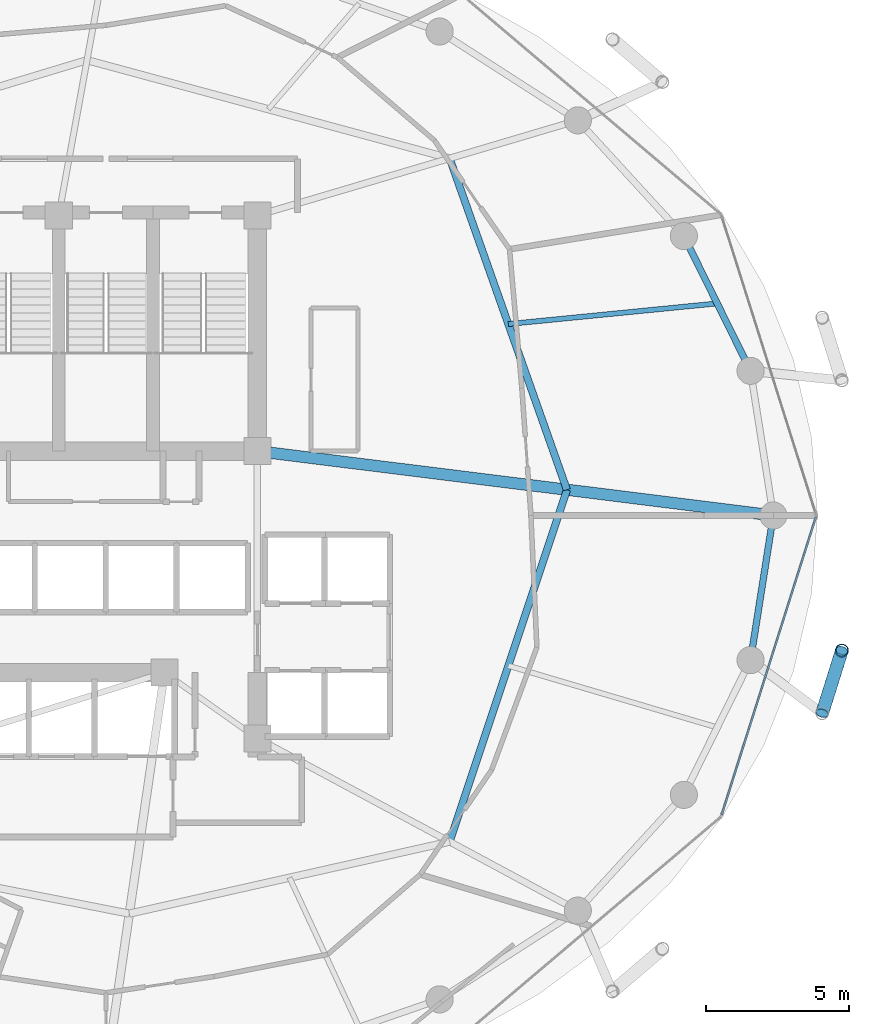
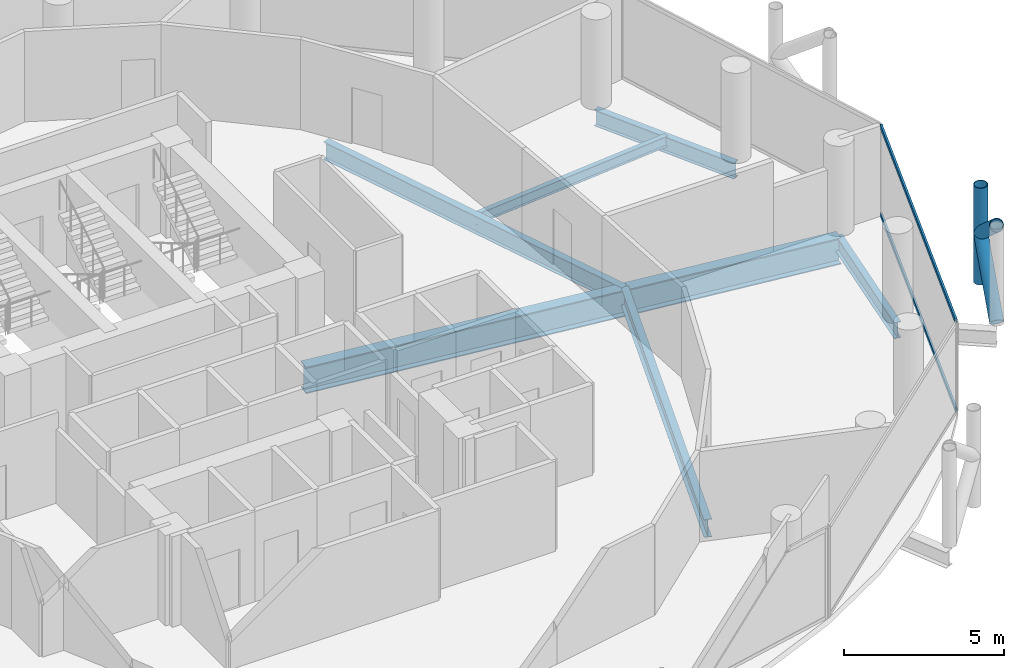
# One storey, part 11 of 26: 6 beams, 5 members, 1 element without a shape of its own.
"""IFC4 building model written with IfcOpenShell, lengths in metres."""

from ifc_helpers import new_model, si_unit, direction, frame, origin, origin_2d, place, context, subcontext, project, spatial, hollow_rectangle, hollow_circle, i_section, extrude, material, layer, layer_set, material_profile, profile_set, type_object, element, aggregate, save


model = new_model("IFC4")

# Units and contexts
model_context = context("Model", 3, precision=1e-05, world=origin(), true_north=direction((0.0, 1.0)))
body_context = subcontext(model_context, "Body", "Model", "MODEL_VIEW")
ifc_project = project(units=[si_unit("LENGTHUNIT", "METRE"), si_unit("AREAUNIT", "SQUARE_METRE"), si_unit("VOLUMEUNIT", "CUBIC_METRE"), si_unit("PLANEANGLEUNIT", "RADIAN"), si_unit("MASSUNIT", "GRAM", prefix="KILO")], contexts=[model_context])

# Site, building, storey
site_placement = place(None, origin())
site = spatial("IfcSite", under=ifc_project, at=site_placement, CompositionType="ELEMENT")
building_placement = place(site_placement, origin())
building = spatial("IfcBuilding", under=site, at=building_placement, Name="Nuhasar Tower", CompositionType="ELEMENT")
storey_placement = place(building_placement, frame((0.0, 0.0, 184.85009765625)))
storey = spatial("IfcBuildingStorey", under=building, at=storey_placement, Name="L45", CompositionType="ELEMENT", Elevation=184.85009765625)

# Beams
ifc_material_1 = material(Name="Steel S355", Category="steel")
ifc_material_profile_1 = material_profile(ifc_material_1, i_section(OverallWidth=0.25390625, OverallDepth=0.68408203125, WebThickness=0.012451171875, FlangeThickness=0.018798828125, at=origin_2d()), Name="W27X94")
ifc_profile_set_1 = profile_set([ifc_material_profile_1], Name="Steel S355")
beam_type_1 = type_object("IfcBeamType", Name="BM-INRING-W27X94", PredefinedType="BEAM", material=ifc_profile_set_1)
beam_1_placement = place(storey_placement, frame((51.027099609375, 15.385986328125, -0.592041015625), z_axis=(0.31609797573, 0.948726551615, 0.0), x_axis=(-0.948726551615, 0.31609797573, 0.0)))
element("IfcBeam", 1, at=beam_1_placement, inside=storey, type_object=beam_type_1, Name="L45 Inner Header Beam 03", PredefinedType="BEAM", context=body_context, shape_type="SweptSolid", body=[
    extrude(i_section(OverallWidth=0.25390625, OverallDepth=0.68408203125, WebThickness=0.012451171875, FlangeThickness=0.018798828125, at=origin_2d()), origin(), (0.0, 0.0, 1.0), 12.9794921875),
])
beam_2_placement = place(storey_placement, frame((55.1298828125, 27.699951171875, -0.592041015625), z_axis=(-0.333599821096, 0.942714781556, 0.0), x_axis=(-0.942714781556, -0.333599821096, 0.0)))
element("IfcBeam", 2, at=beam_2_placement, inside=storey, type_object=beam_type_1, Name="L45 Inner Header Beam 04", PredefinedType="BEAM", context=body_context, shape_type="SweptSolid", body=[
    extrude(i_section(OverallWidth=0.25390625, OverallDepth=0.68408203125, WebThickness=0.012451171875, FlangeThickness=0.018798828125, at=origin_2d()), origin(), (0.0, 0.0, 1.0), 12.298583984375),
])
ifc_material_profile_2 = material_profile(ifc_material_1, i_section(OverallWidth=0.177978515625, OverallDepth=0.406005859375, WebThickness=0.0078125, FlangeThickness=0.0126953125, at=origin_2d()), Name="W16X40")
ifc_profile_set_2 = profile_set([ifc_material_profile_2], Name="Steel S355")
beam_type_2 = type_object("IfcBeamType", Name="BM-JST-W16X40", PredefinedType="JOIST", material=ifc_profile_set_2)
beam_3_placement = place(storey_placement, frame((53.0791015625, 33.4970703125, -0.453125), z_axis=(0.995170244515, 0.098164068947, 0.0), x_axis=(-0.098164068947, 0.995170244515, 0.0)))
element("IfcBeam", 3, at=beam_3_placement, inside=storey, type_object=beam_type_2, Name="L45 Secondary Floor Joist 04", PredefinedType="JOIST", context=body_context, shape_type="SweptSolid", body=[
    extrude(i_section(OverallWidth=0.177978515625, OverallDepth=0.406005859375, WebThickness=0.0078125, FlangeThickness=0.0126953125, at=origin_2d()), origin(), (0.0, 0.0, 1.0), 7.34423828125),
])
ifc_material_profile_3 = material_profile(ifc_material_1, i_section(OverallWidth=0.22998046875, OverallDepth=0.616943359375, WebThickness=0.01318359375, FlangeThickness=0.022216796875, at=origin_2d()), Name="W24X94")
ifc_profile_set_3 = profile_set([ifc_material_profile_3], Name="Steel S355")
beam_type_3 = type_object("IfcBeamType", Name="BM-RING-W24X94", PredefinedType="SPANDREL", material=ifc_profile_set_3)
beam_4_placement = place(storey_placement, frame((61.553955078125, 31.860107421875, -0.55908203125), z_axis=(-0.443347771709, 0.896349682501, 0.0), x_axis=(-0.896349682501, -0.443347771709, 0.0)))
element("IfcBeam", 4, at=beam_4_placement, inside=storey, type_object=beam_type_3, Name="L45 Perimeter Ring Spandrel 02", PredefinedType="SPANDREL", context=body_context, shape_type="SweptSolid", body=[
    extrude(i_section(OverallWidth=0.22998046875, OverallDepth=0.616943359375, WebThickness=0.01318359375, FlangeThickness=0.022216796875, at=origin_2d()), origin(), (0.0, 0.0, 1.0), 5.260009765625),
])
beam_5_placement = place(storey_placement, frame((61.553955078125, 21.739990234375, -0.55908203125), z_axis=(0.155426543608, 0.987847452566, 0.0), x_axis=(-0.987847452566, 0.155426543608, 0.0)))
element("IfcBeam", 5, at=beam_5_placement, inside=storey, type_object=beam_type_3, Name="L45 Perimeter Ring Spandrel 24", PredefinedType="SPANDREL", context=body_context, shape_type="SweptSolid", body=[
    extrude(i_section(OverallWidth=0.22998046875, OverallDepth=0.616943359375, WebThickness=0.01318359375, FlangeThickness=0.022216796875, at=origin_2d()), origin(), (0.0, 0.0, 1.0), 5.122314453125),
])
ifc_material_2 = material(Name="Steel S460", Category="steel")
ifc_material_profile_4 = material_profile(ifc_material_2, i_section(OverallWidth=0.40087890625, OverallDepth=1.010009765625, WebThickness=0.023681640625, FlangeThickness=0.0419921875, at=origin_2d()), Name="W40X297")
ifc_profile_set_4 = profile_set([ifc_material_profile_4], Name="Steel S460")
beam_type_4 = type_object("IfcBeamType", Name="BM-XFER-W40X297", PredefinedType="USERDEFINED", material=ifc_profile_set_4)
beam_6_placement = place(storey_placement, frame((44.300048828125, 29.050048828125, -0.755126953125), z_axis=(0.992320149485, -0.123696082908, 0.0), x_axis=(0.123696082908, 0.992320149485, 0.0)))
element("IfcBeam", 6, at=beam_6_placement, inside=storey, type_object=beam_type_4, Name="L45 Radial Floor Girder 04", ObjectType="GIRDER", PredefinedType="USERDEFINED", context=body_context, shape_type="SweptSolid", body=[
    extrude(i_section(OverallWidth=0.40087890625, OverallDepth=1.010009765625, WebThickness=0.023681640625, FlangeThickness=0.0419921875, at=origin_2d()), origin(), (0.0, 0.0, 1.0), 18.189697265625),
])

# Curtain wall, members
ifc_material_3 = material(Name="Aluminium 6063-T6", Category="aluminium")
ifc_layer = layer(ifc_material_3, 0.199951171875)
ifc_layer_set = layer_set([ifc_layer], Name="Aluminium 6063-T6")
curtain_wall_type = type_object("IfcCurtainWallType", Name="CW-Z2-HTL", PredefinedType="NOTDEFINED", material=ifc_layer_set)
curtain_wall_placement = place(storey_placement, origin())
curtain_wall = element("IfcCurtainWall", 7, at=curtain_wall_placement, inside=storey, type_object=curtain_wall_type, Name="L45 Unitised Curtain Wall 12", PredefinedType="NOTDEFINED")
ifc_material_profile_5 = material_profile(ifc_material_3, hollow_rectangle(XDim=0.070068359375, YDim=0.159912109375, WallThickness=0.00439453125, at=origin_2d()), Name="CWT-3")
ifc_profile_set_5 = profile_set([ifc_material_profile_5], Name="Aluminium 6063-T6")
member_type_1 = type_object("IfcMemberType", Name="CW-TRN-S3", PredefinedType="USERDEFINED", material=ifc_profile_set_5)
member_1_placement = place(storey_placement, frame((60.550048828125, 16.336669921875, 0.034912109375), z_axis=(0.301608163352, 0.953431967053, 0.0), x_axis=(-0.953431967053, 0.301608163352, 0.0)))
member_1 = element("IfcMember", 8, at=member_1_placement, type_object=member_type_1, Name="CW-Z2 transom 1.1", ObjectType="TRANSOM", PredefinedType="USERDEFINED", context=body_context, shape_type="SweptSolid", body=[
    extrude(hollow_rectangle(XDim=0.070068359375, YDim=0.159912109375, WallThickness=0.00439453125, at=origin_2d()), origin(), (0.0, 0.0, 1.0), 10.904296875),
])
member_2_placement = place(storey_placement, frame((60.550048828125, 16.336669921875, 3.414794921875), z_axis=(0.301608163352, 0.953431967053, 0.0), x_axis=(-0.953431967053, 0.301608163352, 0.0)))
member_2 = element("IfcMember", 9, at=member_2_placement, type_object=member_type_1, Name="CW-Z2 transom 1.2", ObjectType="TRANSOM", PredefinedType="USERDEFINED", context=body_context, shape_type="SweptSolid", body=[
    extrude(hollow_rectangle(XDim=0.070068359375, YDim=0.159912109375, WallThickness=0.00439453125, at=origin_2d()), origin(), (0.0, 0.0, 1.0), 10.904296875),
])
aggregate(curtain_wall, [member_1, member_2])

# Members
ifc_material_profile_6 = material_profile(ifc_material_2, hollow_circle(Radius=0.228515625, WallThickness=0.022216796875, at=origin_2d()), Name="HSS457X22.2")
ifc_profile_set_6 = profile_set([ifc_material_profile_6], Name="Steel S460")
member_type_2 = type_object("IfcMemberType", Name="EXO-BRONZE-457", PredefinedType="BRACE", material=ifc_profile_set_6)
member_3_placement = place(storey_placement, frame((64.748046875, 22.073974609375, 0.0), z_axis=(0.0, 0.0, 1.0), x_axis=(1.0, 0.0, 0.0)))
element("IfcMember", 10, at=member_3_placement, inside=storey, type_object=member_type_2, Name="L45 Exoskeleton Chord Column EC-12B", PredefinedType="BRACE", context=body_context, shape_type="SweptSolid", body=[
    extrude(hollow_circle(Radius=0.228515625, WallThickness=0.022216796875, at=origin_2d()), origin(), (0.0, 0.0, 1.0), 3.699951171875),
])
member_4_placement = place(storey_placement, frame((64.06005859375, 19.87890625, 0.0), z_axis=(0.233067628236, 0.74361641074, 0.626669062861), x_axis=(-0.954228474306, 0.29907861646, 0.0)))
element("IfcMember", 11, at=member_4_placement, inside=storey, type_object=member_type_2, Name="L45 Bronze Diagrid Brace W1-12", PredefinedType="BRACE", context=body_context, shape_type="SweptSolid", body=[
    extrude(hollow_circle(Radius=0.228515625, WallThickness=0.022216796875, at=origin_2d()), origin(), (0.0, 0.0, 1.0), 2.951904296875),
])
member_5_placement = place(storey_placement, frame((64.748046875, 22.073974609375, 1.849853515625), z_axis=(-0.233055548538, -0.743577869731, 0.626719285599), x_axis=(0.954228474306, -0.29907861646, 0.0)))
element("IfcMember", 12, at=member_5_placement, inside=storey, type_object=member_type_2, Name="L45 Bronze Diagrid Brace W2-12", PredefinedType="BRACE", context=body_context, shape_type="SweptSolid", body=[
    extrude(hollow_circle(Radius=0.228515625, WallThickness=0.022216796875, at=origin_2d()), origin(), (0.0, 0.0, 1.0), 2.9521484375),
])

save(model, "model.ifc")
